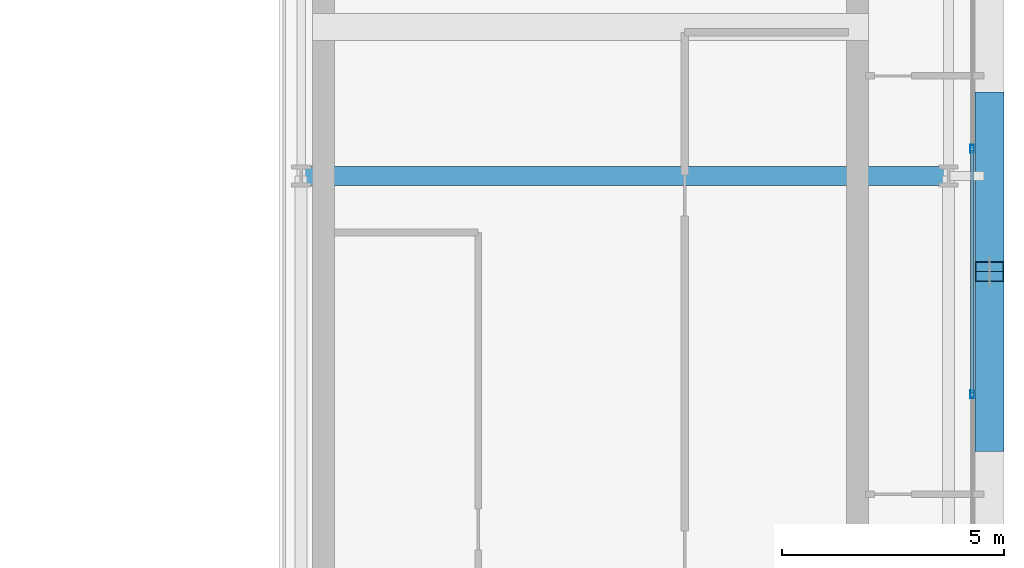
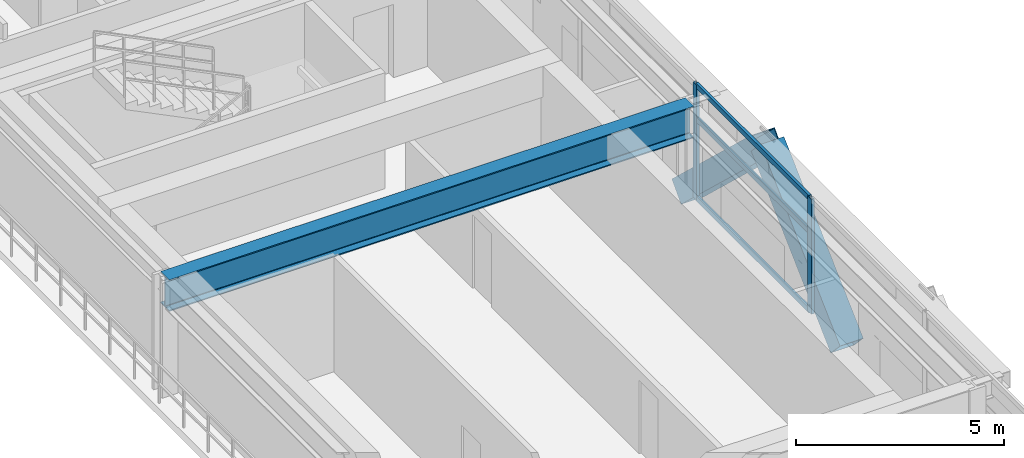
# One storey, part 13 of 31: 7 members, 1 beam, 1 element without a shape of its own.
"""IFC4 building model written with IfcOpenShell, lengths in metres."""

from ifc_helpers import new_model, si_unit, direction, frame, origin, origin_2d, place, context, subcontext, project, spatial, hollow_rectangle, i_section, extrude, source, transform, mapped, material, layer, layer_set, material_profile, profile_set, type_object, element, aggregate, save


model = new_model("IFC4")

# Units and contexts
model_context = context("Model", 3, precision=1e-05, world=origin(), true_north=direction((0.0, 1.0)))
body_context = subcontext(model_context, "Body", "Model", "MODEL_VIEW")
ifc_project = project(units=[si_unit("LENGTHUNIT", "METRE"), si_unit("AREAUNIT", "SQUARE_METRE"), si_unit("VOLUMEUNIT", "CUBIC_METRE"), si_unit("PLANEANGLEUNIT", "RADIAN"), si_unit("MASSUNIT", "GRAM", prefix="KILO")], contexts=[model_context])

# Site, building, storey
site_placement = place(None, origin())
site = spatial("IfcSite", under=ifc_project, at=site_placement, CompositionType="ELEMENT")
building_placement = place(site_placement, origin())
building = spatial("IfcBuilding", under=site, at=building_placement, Name="Ocotamira Hotel", CompositionType="ELEMENT")
storey_placement = place(building_placement, frame((0.0, 0.0, 181.199951171875)))
storey = spatial("IfcBuildingStorey", under=building, at=storey_placement, Name="L45", CompositionType="ELEMENT", Elevation=181.199951171875)

# Beam
ifc_material_1 = material(Name="Steel ASTM A992 Grade 50", Category="steel")
ifc_material_profile_1 = material_profile(ifc_material_1, i_section(OverallWidth=0.41796875, OverallDepth=0.927001953125, WebThickness=0.019287109375, FlangeThickness=0.031982421875, FilletRadius=0.02392578125, at=origin_2d()), Name="W36X231")
ifc_profile_set_1 = profile_set([ifc_material_profile_1], Name="Steel ASTM A992 Grade 50")
beam_type = type_object("IfcBeamType", Name="BM-GIRD-W36X231", PredefinedType="BEAM", material=ifc_profile_set_1)
shared_shape_1 = source(origin(), body_context, "Body", "SweptSolid", [
    extrude(i_section(OverallWidth=0.41796875, OverallDepth=0.927001953125, WebThickness=0.019287109375, FlangeThickness=0.031982421875, FilletRadius=0.02392578125, at=origin_2d()), origin(), (0.0, 0.0, 1.0), 14.550048828125),
])
beam_placement = place(storey_placement, frame((40.5, 28.14990234375, 2.906494140625), z_axis=(1.0, 0.0, 0.0), x_axis=(0.0, 1.0, 0.0)))
element("IfcBeam", 1, at=beam_placement, inside=storey, type_object=beam_type, Name="L45 Girder Y28.15 X40.5-55.05", PredefinedType="BEAM", context=body_context, shape_type="MappedRepresentation", body=[
    mapped(shared_shape_1, transform((0.0, 0.0, 0.0), scale=1.0)),
])

# Members
ifc_material_2 = material(Name="Pale-metal coated steel ASTM A913 Grade 65", Category="steel")
ifc_material_profile_2 = material_profile(ifc_material_2, hollow_rectangle(XDim=0.64990234375, YDim=0.64990234375, WallThickness=0.02197265625, at=origin_2d()), Name="BOX650X650X22")
ifc_profile_set_2 = profile_set([ifc_material_profile_2], Name="Pale-metal coated steel ASTM A913 Grade 65")
member_type_1 = type_object("IfcMemberType", Name="MEM-EXO-BOX650", PredefinedType="BRACE", material=ifc_profile_set_2)
shared_shape_2 = source(origin(), body_context, "Body", "SweptSolid", [
    extrude(hollow_rectangle(XDim=0.64990234375, YDim=0.64990234375, WallThickness=0.02197265625, at=origin_2d()), origin(), (0.0, 0.0, 1.0), 5.24658203125),
])
for number, where, z_axis, x_axis, name in (
    (2, (55.969970703125, 22.183349609375, -0.47998046875), (0.0, 0.727442733726, 0.686168397078), (-1.0, 0.0, 0.0), "L45 Exoskeleton Diagrid E1.1"),
    (3, (55.969970703125, 29.816650390625, -0.47998046875), (0.0, -0.727442733726, 0.686168397078), (1.0, 0.0, 0.0), "L45 Exoskeleton Diagrid E1.2"),
):
    element("IfcMember", number, at=place(storey_placement, frame(where, z_axis=z_axis, x_axis=x_axis)), inside=storey, type_object=member_type_1, Name=name, PredefinedType="BRACE", context=body_context, shape_type="MappedRepresentation", body=[
        mapped(shared_shape_2, transform((0.0, 0.0, 0.0), scale=1.0)),
    ])

# Curtain wall, members
ifc_material_3 = material(Name="Anodised pale-metal aluminium and solar glass", Category="aluminium")
ifc_layer = layer(ifc_material_3, 0.199951171875)
ifc_layer_set = layer_set([ifc_layer], Name="Anodised pale-metal aluminium and solar glass")
curtain_wall_type = type_object("IfcCurtainWallType", Name="CW-SYS4-Z3", PredefinedType="NOTDEFINED", material=ifc_layer_set)
curtain_wall_placement = place(storey_placement, origin())
curtain_wall = element("IfcCurtainWall", 4, at=curtain_wall_placement, inside=storey, type_object=curtain_wall_type, Name="L45 Curtain Wall CW-4 CW-L45-E", PredefinedType="NOTDEFINED")
ifc_material_4 = material(Name="Anodised pale-metal aluminium 6063-T6", Category="aluminium")
ifc_material_profile_3 = material_profile(ifc_material_4, hollow_rectangle(XDim=0.080078125, YDim=0.179931640625, WallThickness=0.006103515625, at=origin_2d()), Name="HSS180X80X6")
ifc_profile_set_3 = profile_set([ifc_material_profile_3], Name="Anodised pale-metal aluminium 6063-T6")
member_type_2 = type_object("IfcMemberType", Name="CWM-180X75", PredefinedType="MULLION", material=ifc_profile_set_3)
shared_shape_3 = source(origin(), body_context, "Body", "SweptSolid", [
    extrude(hollow_rectangle(XDim=0.080078125, YDim=0.179931640625, WallThickness=0.006103515625, at=origin_2d()), origin(), (0.0, 0.0, 1.0), 3.3701171875),
])
member_1_placement = place(storey_placement, frame((55.580078125, 23.239990234375, 0.0), z_axis=(0.0, 0.0, 1.0), x_axis=(-1.0, 0.0, 0.0)))
member_1 = element("IfcMember", 5, at=member_1_placement, type_object=member_type_2, Name="CW-4 mullion 3", PredefinedType="MULLION", context=body_context, shape_type="MappedRepresentation", body=[
    mapped(shared_shape_3, transform((0.0, 0.0, 0.0), scale=1.0)),
])
member_2_placement = place(storey_placement, frame((55.580078125, 28.760009765625, 0.0), z_axis=(0.0, 0.0, 1.0), x_axis=(-1.0, 0.0, 0.0)))
member_2 = element("IfcMember", 6, at=member_2_placement, type_object=member_type_2, Name="CW-4 mullion 4", PredefinedType="MULLION", context=body_context, shape_type="MappedRepresentation", body=[
    mapped(shared_shape_3, transform((0.0, 0.0, 0.0), scale=1.0)),
])
ifc_material_profile_4 = material_profile(ifc_material_4, hollow_rectangle(XDim=0.074951171875, YDim=0.14990234375, WallThickness=0.006103515625, at=origin_2d()), Name="HSS150X75X6")
ifc_profile_set_4 = profile_set([ifc_material_profile_4], Name="Anodised pale-metal aluminium 6063-T6")
member_type_3 = type_object("IfcMemberType", Name="CWT-150X75", PredefinedType="USERDEFINED", material=ifc_profile_set_4)
shared_shape_4 = source(origin(), body_context, "Body", "SweptSolid", [
    extrude(hollow_rectangle(XDim=0.074951171875, YDim=0.14990234375, WallThickness=0.006103515625, at=origin_2d()), origin(), (0.0, 0.0, 1.0), 5.43994140625),
])
member_3_placement = place(storey_placement, frame((55.580078125, 23.280029296875, 0.03759765625), z_axis=(0.0, 1.0, 0.0), x_axis=(-1.0, 0.0, 0.0)))
member_3 = element("IfcMember", 7, at=member_3_placement, type_object=member_type_3, Name="CW-4 transom 3.1", ObjectType="TRANSOM", PredefinedType="USERDEFINED", context=body_context, shape_type="MappedRepresentation", body=[
    mapped(shared_shape_4, transform((0.0, 0.0, 0.0), scale=1.0)),
])
member_4_placement = place(storey_placement, frame((55.580078125, 23.280029296875, 2.35009765625), z_axis=(0.0, 1.0, 0.0), x_axis=(-1.0, 0.0, 0.0)))
member_4 = element("IfcMember", 8, at=member_4_placement, type_object=member_type_3, Name="CW-4 transom 3.2", ObjectType="TRANSOM", PredefinedType="USERDEFINED", context=body_context, shape_type="MappedRepresentation", body=[
    mapped(shared_shape_4, transform((0.0, 0.0, 0.0), scale=1.0)),
])
member_5_placement = place(storey_placement, frame((55.580078125, 23.280029296875, 3.33251953125), z_axis=(0.0, 1.0, 0.0), x_axis=(-1.0, 0.0, 0.0)))
member_5 = element("IfcMember", 9, at=member_5_placement, type_object=member_type_3, Name="CW-4 transom 3.3", ObjectType="TRANSOM", PredefinedType="USERDEFINED", context=body_context, shape_type="MappedRepresentation", body=[
    mapped(shared_shape_4, transform((0.0, 0.0, 0.0), scale=1.0)),
])
aggregate(curtain_wall, [member_1, member_2, member_3, member_4, member_5])

save(model, "model.ifc")
